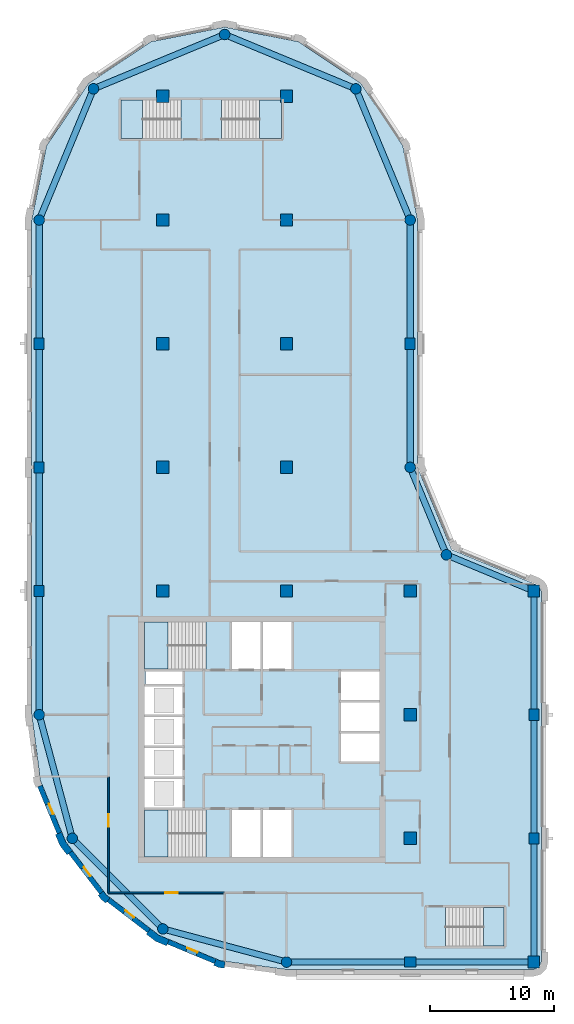
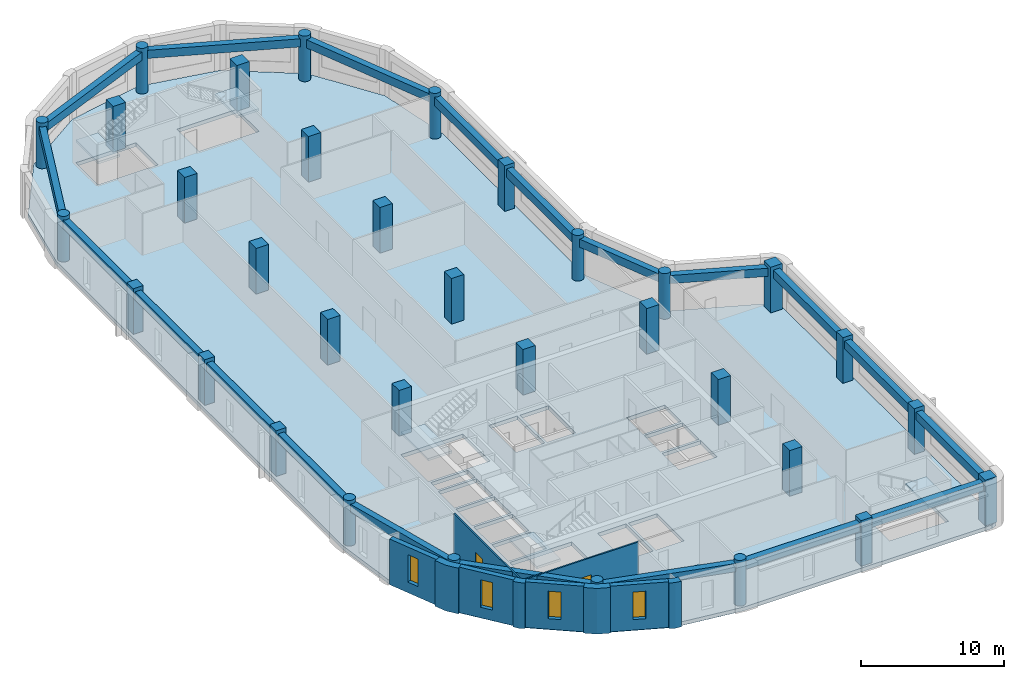
# One storey, part 1 of 8: 33 columns, 20 beams, 10 walls, 6 slabs, 4 windows, 2 doors, 6 openings, 5 elements without a shape of their own.
"""IFC4 building model written with IfcOpenShell, lengths in metres."""

from ifc_helpers import new_model, si_unit, direction, frame, frame_2d, origin, origin_2d, place, context, subcontext, project, spatial, polyline, rectangle, circle, outline, extrude, material, layer, layer_set, material_profile, profile_set, type_object, element, fill, aggregate, save


model = new_model("IFC4")

# Units and contexts
model_context = context("Model", 3, precision=1e-05, world=origin(), true_north=direction((0.0, 1.0)))
body_context = subcontext(model_context, "Body", "Model", "MODEL_VIEW")
ifc_project = project(units=[si_unit("LENGTHUNIT", "METRE"), si_unit("AREAUNIT", "SQUARE_METRE"), si_unit("VOLUMEUNIT", "CUBIC_METRE"), si_unit("PLANEANGLEUNIT", "RADIAN"), si_unit("MASSUNIT", "GRAM", prefix="KILO")], contexts=[model_context])

# Site, building, storey
site_placement = place(None, origin())
site = spatial("IfcSite", under=ifc_project, at=site_placement, CompositionType="ELEMENT")
building_placement = place(site_placement, origin())
building = spatial("IfcBuilding", under=site, at=building_placement, Name="Qaws Garden Tower", CompositionType="ELEMENT")
storey_placement = place(building_placement, frame((0.0, 0.0, 309.89990234375)))
storey = spatial("IfcBuildingStorey", under=building, at=storey_placement, Name="L75", CompositionType="ELEMENT", Elevation=309.89990234375)

# Columns
ifc_material_1 = material(Name="Concrete C60", Category="concrete")
ifc_material_profile_1 = material_profile(ifc_material_1, rectangle(XDim=1.0, YDim=1.0, at=origin_2d()), Name="RC 1000x1000")
ifc_profile_set_1 = profile_set([ifc_material_profile_1], Name="Concrete C60")
column_type_1 = type_object("IfcColumnType", Name="Column RC 1000x1000 C60", PredefinedType="COLUMN", material=ifc_profile_set_1)
for number, where, z_axis, x_axis, name in (
    (1, (10.0, 30.0, 0.0), (0.0, 0.0, 1.0), (1.0, 0.0, 0.0), "Column L75-021"),
    (2, (10.0, 40.0, 0.0), (0.0, 0.0, 1.0), (1.0, 0.0, 0.0), "Column L75-022"),
    (3, (10.0, 50.0, 0.0), (0.0, 0.0, 1.0), (1.0, 0.0, 0.0), "Column L75-023"),
    (4, (10.0, 60.0, 0.0), (0.0, 0.0, 1.0), (1.0, 0.0, 0.0), "Column L75-024"),
    (5, (10.0, 70.0, 0.0), (0.0, 0.0, 1.0), (1.0, 0.0, 0.0), "Column L75-025"),
    (6, (20.0, 30.0, 0.0), (0.0, 0.0, 1.0), (1.0, 0.0, 0.0), "Column L75-026"),
    (7, (20.0, 40.0, 0.0), (0.0, 0.0, 1.0), (1.0, 0.0, 0.0), "Column L75-027"),
    (8, (20.0, 50.0, 0.0), (0.0, 0.0, 1.0), (1.0, 0.0, 0.0), "Column L75-028"),
    (9, (20.0, 60.0, 0.0), (0.0, 0.0, 1.0), (1.0, 0.0, 0.0), "Column L75-029"),
    (10, (20.0, 70.0, 0.0), (0.0, 0.0, 1.0), (1.0, 0.0, 0.0), "Column L75-030"),
    (11, (30.0, 10.0, 0.0), (0.0, 0.0, 1.0), (1.0, 0.0, 0.0), "Column L75-031"),
    (12, (30.0, 20.0, 0.0), (0.0, 0.0, 1.0), (1.0, 0.0, 0.0), "Column L75-032"),
    (13, (30.0, 30.0, 0.0), (0.0, 0.0, 1.0), (1.0, 0.0, 0.0), "Column L75-033"),
):
    element("IfcColumn", number, at=place(storey_placement, frame(where, z_axis=z_axis, x_axis=x_axis)), inside=storey, type_object=column_type_1, Name=name, PredefinedType="COLUMN", context=body_context, shape_type="SweptSolid", body=[
        extrude(rectangle(XDim=1.0, YDim=1.0, at=origin_2d()), origin(), (0.0, 0.0, 1.0), 3.900146484375),
    ])
ifc_material_2 = material(Name="Concrete C60", Category="concrete")
ifc_material_profile_2 = material_profile(ifc_material_2, rectangle(XDim=0.89990234375, YDim=0.800048828125, at=origin_2d()), Name="RC 900x800")
ifc_profile_set_2 = profile_set([ifc_material_profile_2], Name="Concrete C60")
column_type_2 = type_object("IfcColumnType", Name="Column RC 900x800 C60", PredefinedType="COLUMN", material=ifc_profile_set_2)
for number, where, z_axis, x_axis, name in (
    (14, (30.0, 0.0, 0.0), (0.0, 0.0, 1.0), (1.0, 0.0, 0.0), "Column L75-002"),
    (15, (40.0, 10.0, 0.0), (0.0, 0.0, 1.0), (0.0, 1.0, 0.0), "Column L75-004"),
    (16, (40.0, 20.0, 0.0), (0.0, 0.0, 1.0), (0.0, 1.0, 0.0), "Column L75-005"),
    (17, (30.0, 50.0, 0.0), (0.0, 0.0, 1.0), (0.0, 1.0, 0.0), "Column L75-009"),
    (18, (0.0, 50.0, 0.0), (0.0, 0.0, 1.0), (0.0, 1.0, 0.0), "Column L75-015"),
    (19, (0.0, 40.0, 0.0), (0.0, 0.0, 1.0), (0.0, 1.0, 0.0), "Column L75-016"),
    (20, (0.0, 30.0, 0.0), (0.0, 0.0, 1.0), (0.0, 1.0, 0.0), "Column L75-017"),
):
    element("IfcColumn", number, at=place(storey_placement, frame(where, z_axis=z_axis, x_axis=x_axis)), inside=storey, type_object=column_type_2, Name=name, PredefinedType="COLUMN", context=body_context, shape_type="SweptSolid", body=[
        extrude(rectangle(XDim=0.89990234375, YDim=0.800048828125, at=origin_2d()), origin(), (0.0, 0.0, 1.0), 3.900146484375),
    ])
ifc_material_3 = material(Name="Concrete C60", Category="concrete")
ifc_material_profile_3 = material_profile(ifc_material_3, rectangle(XDim=0.949951171875, YDim=0.949951171875, at=origin_2d()), Name="RC 950x950")
ifc_profile_set_3 = profile_set([ifc_material_profile_3], Name="Concrete C60")
column_type_3 = type_object("IfcColumnType", Name="Column RC 950x950 C60", PredefinedType="COLUMN", material=ifc_profile_set_3)
for number, where, z_axis, x_axis, name in (
    (21, (40.0, 0.0, 0.0), (0.0, 0.0, 1.0), (1.0, 0.0, 0.0), "Column L75-003"),
    (22, (40.0, 30.0, 0.0), (0.0, 0.0, 1.0), (1.0, 0.0, 0.0), "Column L75-006"),
):
    element("IfcColumn", number, at=place(storey_placement, frame(where, z_axis=z_axis, x_axis=x_axis)), inside=storey, type_object=column_type_3, Name=name, PredefinedType="COLUMN", context=body_context, shape_type="SweptSolid", body=[
        extrude(rectangle(XDim=0.949951171875, YDim=0.949951171875, at=origin_2d()), origin(), (0.0, 0.0, 1.0), 3.900146484375),
    ])
ifc_material_4 = material(Name="Concrete C60", Category="concrete")
ifc_material_profile_4 = material_profile(ifc_material_4, circle(Radius=0.425048828125, at=origin_2d()), Name="RC D850")
ifc_profile_set_4 = profile_set([ifc_material_profile_4], Name="Concrete C60")
column_type_4 = type_object("IfcColumnType", Name="Column RC D850 C60", PredefinedType="COLUMN", material=ifc_profile_set_4)
for number, where, z_axis, x_axis, name in (
    (23, (20.0, 0.0, 0.0), (0.0, 0.0, 1.0), (1.0, 0.0, 0.0), "Column L75-001"),
    (24, (32.928955078125, 32.928955078125, 0.0), (0.0, 0.0, 1.0), (1.0, 0.0, 0.0), "Column L75-007"),
    (25, (30.0, 40.0, 0.0), (0.0, 0.0, 1.0), (1.0, 0.0, 0.0), "Column L75-008"),
    (26, (30.0, 60.0, 0.0), (0.0, 0.0, 1.0), (1.0, 0.0, 0.0), "Column L75-010"),
    (27, (25.606689453125, 70.606689453125, 0.0), (0.0, 0.0, 1.0), (1.0, 0.0, 0.0), "Column L75-011"),
    (28, (15.0, 75.0, 0.0), (0.0, 0.0, 1.0), (1.0, 0.0, 0.0), "Column L75-012"),
    (29, (4.393310546875, 70.606689453125, 0.0), (0.0, 0.0, 1.0), (1.0, 0.0, 0.0), "Column L75-013"),
    (30, (0.0, 60.0, 0.0), (0.0, 0.0, 1.0), (1.0, 0.0, 0.0), "Column L75-014"),
    (31, (0.0, 20.0, 0.0), (0.0, 0.0, 1.0), (1.0, 0.0, 0.0), "Column L75-018"),
    (32, (2.679443359375, 10.0, 0.0), (0.0, 0.0, 1.0), (1.0, 0.0, 0.0), "Column L75-019"),
    (33, (10.0, 2.679443359375, 0.0), (0.0, 0.0, 1.0), (1.0, 0.0, 0.0), "Column L75-020"),
):
    element("IfcColumn", number, at=place(storey_placement, frame(where, z_axis=z_axis, x_axis=x_axis)), inside=storey, type_object=column_type_4, Name=name, PredefinedType="COLUMN", context=body_context, shape_type="SweptSolid", body=[
        extrude(circle(Radius=0.425048828125, at=origin_2d()), origin(), (0.0, 0.0, 1.0), 3.900146484375),
    ])

# Beams
ifc_material_5 = material(Name="Concrete C45", Category="concrete")
ifc_material_profile_5 = material_profile(ifc_material_5, rectangle(XDim=0.5, YDim=0.699951171875, at=origin_2d()), Name="RC 500x700")
ifc_profile_set_5 = profile_set([ifc_material_profile_5], Name="Concrete C45")
beam_type = type_object("IfcBeamType", Name="Spandrel beam RC 500x700 C45", PredefinedType="SPANDREL", material=ifc_profile_set_5)
for number, where, z_axis, x_axis, name in (
    (34, (20.0, 0.0, 3.22998046875), (1.0, 0.0, 0.0), (0.0, 1.0, 0.0), "Spandrel beam L75-001"),
    (35, (30.0, 0.0, 3.22998046875), (1.0, 0.0, 0.0), (0.0, 1.0, 0.0), "Spandrel beam L75-002"),
    (36, (40.0, 0.0, 3.22998046875), (0.0, 1.0, 0.0), (-1.0, 0.0, 0.0), "Spandrel beam L75-003"),
    (37, (40.0, 10.0, 3.22998046875), (0.0, 1.0, 0.0), (-1.0, 0.0, 0.0), "Spandrel beam L75-004"),
    (38, (40.0, 20.0, 3.22998046875), (0.0, 1.0, 0.0), (-1.0, 0.0, 0.0), "Spandrel beam L75-005"),
):
    element("IfcBeam", number, at=place(storey_placement, frame(where, z_axis=z_axis, x_axis=x_axis)), inside=storey, type_object=beam_type, Name=name, PredefinedType="SPANDREL", context=body_context, shape_type="SweptSolid", body=[
        extrude(rectangle(XDim=0.5, YDim=0.699951171875, at=origin_2d()), origin(), (0.0, 0.0, 1.0), 10.0),
    ])
for number, where, z_axis, x_axis, name in (
    (39, (40.0, 30.0, 3.22998046875), (-0.923878037141, 0.382687042488, 0.0), (-0.382687042488, -0.923878037141, 0.0), "Spandrel beam L75-006"),
    (40, (32.928955078125, 32.928955078125, 3.22998046875), (-0.382687042488, 0.923878037141, 0.0), (-0.923878037141, -0.382687042488, 0.0), "Spandrel beam L75-007"),
):
    element("IfcBeam", number, at=place(storey_placement, frame(where, z_axis=z_axis, x_axis=x_axis)), inside=storey, type_object=beam_type, Name=name, PredefinedType="SPANDREL", context=body_context, shape_type="SweptSolid", body=[
        extrude(rectangle(XDim=0.5, YDim=0.699951171875, at=origin_2d()), origin(), (0.0, 0.0, 1.0), 7.653564453125),
    ])
for number, where, z_axis, x_axis, name in (
    (41, (30.0, 40.0, 3.22998046875), (0.0, 1.0, 0.0), (-1.0, 0.0, 0.0), "Spandrel beam L75-008"),
    (42, (30.0, 50.0, 3.22998046875), (0.0, 1.0, 0.0), (-1.0, 0.0, 0.0), "Spandrel beam L75-009"),
):
    element("IfcBeam", number, at=place(storey_placement, frame(where, z_axis=z_axis, x_axis=x_axis)), inside=storey, type_object=beam_type, Name=name, PredefinedType="SPANDREL", context=body_context, shape_type="SweptSolid", body=[
        extrude(rectangle(XDim=0.5, YDim=0.699951171875, at=origin_2d()), origin(), (0.0, 0.0, 1.0), 10.0),
    ])
for number, where, z_axis, x_axis, name in (
    (43, (30.0, 60.0, 3.22998046875), (-0.382674207535, 0.923883353507, 0.0), (-0.923883353507, -0.382674207535, 0.0), "Spandrel beam L75-010"),
    (44, (25.606689453125, 70.606689453125, 3.22998046875), (-0.923883353507, 0.382674207535, 0.0), (-0.382674207535, -0.923883353507, 0.0), "Spandrel beam L75-011"),
    (45, (15.0, 75.0, 3.22998046875), (-0.923883353507, -0.382674207535, 0.0), (0.382674207535, -0.923883353507, 0.0), "Spandrel beam L75-012"),
    (46, (4.393310546875, 70.606689453125, 3.22998046875), (-0.382674207535, -0.923883353507, 0.0), (0.923883353507, -0.382674207535, 0.0), "Spandrel beam L75-013"),
):
    element("IfcBeam", number, at=place(storey_placement, frame(where, z_axis=z_axis, x_axis=x_axis)), inside=storey, type_object=beam_type, Name=name, PredefinedType="SPANDREL", context=body_context, shape_type="SweptSolid", body=[
        extrude(rectangle(XDim=0.5, YDim=0.699951171875, at=origin_2d()), origin(), (0.0, 0.0, 1.0), 11.48046875),
    ])
for number, where, z_axis, x_axis, name in (
    (47, (0.0, 60.0, 3.22998046875), (0.0, -1.0, 0.0), (1.0, 0.0, 0.0), "Spandrel beam L75-014"),
    (48, (0.0, 50.0, 3.22998046875), (0.0, -1.0, 0.0), (1.0, 0.0, 0.0), "Spandrel beam L75-015"),
    (49, (0.0, 40.0, 3.22998046875), (0.0, -1.0, 0.0), (1.0, 0.0, 0.0), "Spandrel beam L75-016"),
    (50, (0.0, 30.0, 3.22998046875), (0.0, -1.0, 0.0), (1.0, 0.0, 0.0), "Spandrel beam L75-017"),
):
    element("IfcBeam", number, at=place(storey_placement, frame(where, z_axis=z_axis, x_axis=x_axis)), inside=storey, type_object=beam_type, Name=name, PredefinedType="SPANDREL", context=body_context, shape_type="SweptSolid", body=[
        extrude(rectangle(XDim=0.5, YDim=0.699951171875, at=origin_2d()), origin(), (0.0, 0.0, 1.0), 10.0),
    ])
for number, where, z_axis, x_axis, name in (
    (51, (0.0, 20.0, 3.22998046875), (0.25881466832, -0.965926999034, 0.0), (0.965926999034, 0.25881466832, 0.0), "Spandrel beam L75-018"),
    (52, (2.679443359375, 10.0, 3.22998046875), (0.707106781187, -0.707106781187, 0.0), (0.707106781187, 0.707106781187, 0.0), "Spandrel beam L75-019"),
    (53, (10.0, 2.679443359375, 3.22998046875), (0.965926999034, -0.25881466832, 0.0), (0.25881466832, 0.965926999034, 0.0), "Spandrel beam L75-020"),
):
    element("IfcBeam", number, at=place(storey_placement, frame(where, z_axis=z_axis, x_axis=x_axis)), inside=storey, type_object=beam_type, Name=name, PredefinedType="SPANDREL", context=body_context, shape_type="SweptSolid", body=[
        extrude(rectangle(XDim=0.5, YDim=0.699951171875, at=origin_2d()), origin(), (0.0, 0.0, 1.0), 10.352783203125),
    ])

# Slab
ifc_material_6 = material(Name="Concrete C40", Category="concrete")
ifc_layer_1 = layer(ifc_material_6, 0.320068359375)
ifc_layer_set_1 = layer_set([ifc_layer_1], Name="Concrete C40")
slab_type_1 = type_object("IfcSlabType", Name="Floor slab 320 C40", PredefinedType="FLOOR", material=ifc_layer_set_1)
slab_1_placement = place(storey_placement, frame((0.0, 0.0, -0.31982421875)))
element("IfcSlab", 54, at=slab_1_placement, inside=storey, type_object=slab_type_1, Name="Floor slab L75", PredefinedType="FLOOR", context=body_context, shape_type="SweptSolid", body=[
    extrude(outline(polyline([(0.101806640625, 14.668212890625), (-0.60009765625, 20.0), (-0.60009765625, 30.60009765625), (-0.60009765625, 60.0), (-0.60009765625, 60.0), (0.58740234375, 65.969970703125), (3.968994140625, 71.031005859375), (9.030029296875, 74.41259765625), (15.0, 75.60009765625), (20.969970703125, 74.41259765625), (26.031005859375, 71.031005859375), (29.41259765625, 65.969970703125), (30.60009765625, 60.0), (30.60009765625, 40.0), (33.353271484375, 33.353271484375), (40.0, 30.60009765625), (40.42431640625, 30.42431640625), (40.60009765625, 30.0), (40.60009765625, 0.0), (40.42431640625, -0.42431640625), (40.0, -0.60009765625), (30.60009765625, -0.60009765625), (20.0, -0.60009765625), (14.668212890625, 0.101806640625), (9.699951171875, 2.159912109375), (5.43359375, 5.43359375), (2.159912109375, 9.699951171875), (0.101806640625, 14.668212890625)]), holes=[polyline([(13.49951171875, 12.300048828125), (8.5, 12.300048828125), (8.5, 8.5), (13.49951171875, 8.5), (13.49951171875, 12.300048828125)]), polyline([(17.89990234375, 12.300048828125), (15.60009765625, 12.300048828125), (15.60009765625, 8.5), (17.89990234375, 8.5), (17.89990234375, 12.300048828125)]), polyline([(11.60009765625, 14.800048828125), (8.5, 14.800048828125), (8.5, 12.5), (11.60009765625, 12.5), (11.60009765625, 14.800048828125)]), polyline([(11.60009765625, 17.300048828125), (8.5, 17.300048828125), (8.5, 15.0), (11.60009765625, 15.0), (11.60009765625, 17.300048828125)]), polyline([(11.60009765625, 19.800048828125), (8.5, 19.800048828125), (8.5, 17.5), (11.60009765625, 17.5), (11.60009765625, 19.800048828125)]), polyline([(11.60009765625, 22.300048828125), (8.5, 22.300048828125), (8.5, 20.0), (11.60009765625, 20.0), (11.60009765625, 22.300048828125)]), polyline([(11.60009765625, 23.5), (8.60009765625, 23.5), (8.60009765625, 22.5), (11.60009765625, 22.5), (11.60009765625, 23.5)]), polyline([(13.49951171875, 27.5), (8.5, 27.5), (8.5, 23.699951171875), (13.49951171875, 23.699951171875), (13.49951171875, 27.5)]), polyline([(11.449462890625, 69.699951171875), (6.60009765625, 69.699951171875), (6.60009765625, 66.60009765625), (11.449462890625, 66.60009765625), (11.449462890625, 69.699951171875)]), polyline([(37.60009765625, 4.39990234375), (32.8505859375, 4.39990234375), (32.8505859375, 1.300048828125), (37.60009765625, 1.300048828125), (37.60009765625, 4.39990234375)]), polyline([(20.39990234375, 12.300048828125), (18.10009765625, 12.300048828125), (18.10009765625, 8.5), (20.39990234375, 8.5), (20.39990234375, 12.300048828125)]), polyline([(27.5, 18.5), (24.39990234375, 18.5), (24.39990234375, 16.199951171875), (27.5, 16.199951171875), (27.5, 18.5)]), polyline([(27.5, 21.0), (24.39990234375, 21.0), (24.39990234375, 18.699951171875), (27.5, 18.699951171875), (27.5, 21.0)]), polyline([(27.5, 23.5), (24.39990234375, 23.5), (24.39990234375, 21.199951171875), (27.5, 21.199951171875), (27.5, 23.5)]), polyline([(17.89990234375, 27.5), (15.60009765625, 27.5), (15.60009765625, 23.699951171875), (17.89990234375, 23.699951171875), (17.89990234375, 27.5)]), polyline([(20.39990234375, 23.699951171875), (20.39990234375, 27.5), (18.10009765625, 27.5), (18.10009765625, 23.699951171875), (20.39990234375, 23.699951171875)]), polyline([(19.60009765625, 66.60009765625), (19.60009765625, 69.699951171875), (14.75048828125, 69.699951171875), (14.75048828125, 66.60009765625), (19.60009765625, 66.60009765625)])]), origin(), (0.0, 0.0, 1.0), 0.31982421875),
])

# Stair, slab
ifc_material_7 = material(Name="Concrete C40", Category="concrete")
stair_type_1 = type_object("IfcStairType", Name="Exit stair 1500", PredefinedType="HALF_TURN_STAIR", material=ifc_material_7)
placement_1 = place(storey_placement, origin())
stair_1 = element("IfcStair", 55, at=placement_1, inside=storey, type_object=stair_type_1, Name="Stair 1", PredefinedType="HALF_TURN_STAIR")
ifc_material_8 = material(Name="Concrete C40", Category="concrete")
ifc_layer_2 = layer(ifc_material_8, 0.199951171875)
ifc_layer_set_2 = layer_set([ifc_layer_2], Name="Concrete C40")
slab_type_2 = type_object("IfcSlabType", Name="Stair landing 200", PredefinedType="LANDING", material=ifc_layer_set_2)
placement_2 = place(storey_placement, frame((0.0, 0.0, 1.75)))
slab_2 = element("IfcSlab", 56, at=placement_2, type_object=slab_type_2, Name="ST1 landing 1", PredefinedType="LANDING", context=body_context, shape_type="SweptSolid", body=[
    extrude(outline(polyline([(8.5, 8.5), (10.419921875, 8.5), (10.419921875, 12.300048828125), (8.5, 12.300048828125), (8.5, 8.5)])), origin(), (0.0, 0.0, 1.0), 0.2001953125),
])
aggregate(stair_1, [slab_2])

stair_2 = element("IfcStair", 57, at=placement_1, inside=storey, type_object=stair_type_1, Name="Stair 4", PredefinedType="HALF_TURN_STAIR")
slab_3 = element("IfcSlab", 58, at=placement_2, type_object=slab_type_2, Name="ST4 landing 1", PredefinedType="LANDING", context=body_context, shape_type="SweptSolid", body=[
    extrude(outline(polyline([(8.5, 23.699951171875), (10.419921875, 23.699951171875), (10.419921875, 27.5), (8.5, 27.5), (8.5, 23.699951171875)])), origin(), (0.0, 0.0, 1.0), 0.2001953125),
])
aggregate(stair_2, [slab_3])

ifc_material_9 = material(Name="Concrete C40", Category="concrete")
stair_type_2 = type_object("IfcStairType", Name="Exit stair 1350", PredefinedType="HALF_TURN_STAIR", material=ifc_material_9)
stair_3 = element("IfcStair", 59, at=placement_1, inside=storey, type_object=stair_type_2, Name="Stair 5", PredefinedType="HALF_TURN_STAIR")
slab_4 = element("IfcSlab", 60, at=placement_2, type_object=slab_type_2, Name="ST5 landing 1", PredefinedType="LANDING", context=body_context, shape_type="SweptSolid", body=[
    extrude(outline(polyline([(35.929931640625, 1.300048828125), (37.60009765625, 1.300048828125), (37.60009765625, 4.39990234375), (35.929931640625, 4.39990234375), (35.929931640625, 1.300048828125)])), origin(), (0.0, 0.0, 1.0), 0.2001953125),
])
aggregate(stair_3, [slab_4])

stair_4 = element("IfcStair", 61, at=placement_1, inside=storey, type_object=stair_type_2, Name="Stair 6", PredefinedType="HALF_TURN_STAIR")
slab_5 = element("IfcSlab", 62, at=placement_2, type_object=slab_type_2, Name="ST6 landing 1", PredefinedType="LANDING", context=body_context, shape_type="SweptSolid", body=[
    extrude(outline(polyline([(6.60009765625, 66.60009765625), (8.3701171875, 66.60009765625), (8.3701171875, 69.699951171875), (6.60009765625, 69.699951171875), (6.60009765625, 66.60009765625)])), origin(), (0.0, 0.0, 1.0), 0.2001953125),
])
aggregate(stair_4, [slab_5])

stair_5 = element("IfcStair", 63, at=placement_1, inside=storey, type_object=stair_type_2, Name="Stair 7", PredefinedType="HALF_TURN_STAIR")
slab_6 = element("IfcSlab", 64, at=placement_2, type_object=slab_type_2, Name="ST7 landing 1", PredefinedType="LANDING", context=body_context, shape_type="SweptSolid", body=[
    extrude(outline(polyline([(17.830078125, 66.60009765625), (19.60009765625, 66.60009765625), (19.60009765625, 69.699951171875), (17.830078125, 69.699951171875), (17.830078125, 66.60009765625)])), origin(), (0.0, 0.0, 1.0), 0.2001953125),
])
aggregate(stair_5, [slab_6])

# Wall, opening, window
ifc_material_10 = material(Name="Buff clay facing brick masonry", Category="masonry")
ifc_layer_3 = layer(ifc_material_10, 0.39990234375)
ifc_layer_set_3 = layer_set([ifc_layer_3], Name="Buff clay facing brick masonry")
wall_type_1 = type_object("IfcWallType", Name="Buff brick infill wall 400", PredefinedType="SOLIDWALL", material=ifc_layer_set_3)
wall_1_placement = place(storey_placement, frame((0.05712890625, 14.240234375, 0.0), z_axis=(0.0, 0.0, 1.0), x_axis=(0.382721546029, -0.923863744394, 0.0)))
wall_1 = element("IfcWall", 65, at=wall_1_placement, inside=storey, type_object=wall_type_1, Name="E-L75-infill-22", PredefinedType="SOLIDWALL", context=body_context, shape_type="SweptSolid", body=[
    extrude(rectangle(XDim=4.120849609375, YDim=0.39990234375, at=frame_2d((2.060546875, 0.0))), origin(), (0.0, 0.0, 1.0), 3.900146484375),
])
opening_1_placement = place(wall_1_placement, frame((1.610595703125, 0.0, 0.89990234375)))
opening_1 = element("IfcOpeningElement", 66, at=opening_1_placement, cuts=wall_1, Name="Opening W09", PredefinedType="OPENING", context=body_context, shape_type="SweptSolid", body=[
    extrude(rectangle(XDim=0.89990234375, YDim=2.35009765625, at=frame_2d((0.449951171875, 1.175048828125))), frame((0.0, 0.2099609375, 0.0), z_axis=(0.0, -1.0, 0.0), x_axis=(1.0, 0.0, 0.0)), (0.0, 0.0, 1.0), 0.419921875),
])
ifc_material_11 = material(Name="Aluminium framed window, clear glazing", Category="aluminium")
window_type = type_object("IfcWindowType", Name="Slit window 900 x 2350", PartitioningType="SINGLE_PANEL", PredefinedType="WINDOW", material=ifc_material_11)
window_1_placement = place(opening_1_placement, origin())
window_1 = element("IfcWindow", 67, at=window_1_placement, inside=storey, type_object=window_type, Name="E-L75-window-22-0", OverallHeight=2.35009765625, OverallWidth=0.89990234375, PartitioningType="SINGLE_PANEL", PredefinedType="WINDOW", context=body_context, shape_type="SweptSolid", body=[
    extrude(rectangle(XDim=0.89990234375, YDim=2.35009765625, at=frame_2d((0.449951171875, 1.175048828125))), frame((0.0, 0.159912109375, 0.0), z_axis=(0.0, -1.0, 0.0), x_axis=(1.0, 0.0, 0.0)), (0.0, 0.0, 1.0), 0.06005859375),
])
fill(opening_1, window_1)

wall_2_placement = place(storey_placement, frame((2.53173828125, 8.87841796875, 0.0), z_axis=(0.0, 0.0, 1.0), x_axis=(0.608759824817, -0.793354571229, 0.0)))
wall_2 = element("IfcWall", 68, at=wall_2_placement, inside=storey, type_object=wall_type_1, Name="E-L75-infill-23", PredefinedType="SOLIDWALL", context=body_context, shape_type="SweptSolid", body=[
    extrude(rectangle(XDim=4.12109375, YDim=0.39990234375, at=frame_2d((2.060546875, 0.0))), origin(), (0.0, 0.0, 1.0), 3.900146484375),
])
opening_2_placement = place(wall_2_placement, frame((1.610595703125, 0.0, 0.89990234375)))
opening_2 = element("IfcOpeningElement", 69, at=opening_2_placement, cuts=wall_2, Name="Opening W09", PredefinedType="OPENING", context=body_context, shape_type="SweptSolid", body=[
    extrude(rectangle(XDim=0.89990234375, YDim=2.35009765625, at=frame_2d((0.449951171875, 1.175048828125))), frame((0.0, 0.2099609375, 0.0), z_axis=(0.0, -1.0, 0.0), x_axis=(1.0, 0.0, 0.0)), (0.0, 0.0, 1.0), 0.419921875),
])
window_2_placement = place(opening_2_placement, origin())
window_2 = element("IfcWindow", 70, at=window_2_placement, inside=storey, type_object=window_type, Name="E-L75-window-23-0", OverallHeight=2.35009765625, OverallWidth=0.89990234375, PartitioningType="SINGLE_PANEL", PredefinedType="WINDOW", context=body_context, shape_type="SweptSolid", body=[
    extrude(rectangle(XDim=0.89990234375, YDim=2.35009765625, at=frame_2d((0.449951171875, 1.175048828125))), frame((0.0, 0.159912109375, 0.0), z_axis=(0.0, -1.0, 0.0), x_axis=(1.0, 0.0, 0.0)), (0.0, 0.0, 1.0), 0.06005859375),
])
fill(opening_2, window_2)

wall_3_placement = place(storey_placement, frame((5.60888671875, 5.04052734375, 0.0), z_axis=(0.0, 0.0, 1.0), x_axis=(0.793354571229, -0.608759824817, 0.0)))
wall_3 = element("IfcWall", 71, at=wall_3_placement, inside=storey, type_object=wall_type_1, Name="E-L75-infill-24", PredefinedType="SOLIDWALL", context=body_context, shape_type="SweptSolid", body=[
    extrude(rectangle(XDim=4.12109375, YDim=0.39990234375, at=frame_2d((2.060546875, 0.0))), origin(), (0.0, 0.0, 1.0), 3.900146484375),
])
opening_3_placement = place(wall_3_placement, frame((1.610595703125, 0.0, 0.89990234375)))
opening_3 = element("IfcOpeningElement", 72, at=opening_3_placement, cuts=wall_3, Name="Opening W09", PredefinedType="OPENING", context=body_context, shape_type="SweptSolid", body=[
    extrude(rectangle(XDim=0.89990234375, YDim=2.35009765625, at=frame_2d((0.449951171875, 1.175048828125))), frame((0.0, 0.2099609375, 0.0), z_axis=(0.0, -1.0, 0.0), x_axis=(1.0, 0.0, 0.0)), (0.0, 0.0, 1.0), 0.419921875),
])
window_3_placement = place(opening_3_placement, origin())
window_3 = element("IfcWindow", 73, at=window_3_placement, inside=storey, type_object=window_type, Name="E-L75-window-24-0", OverallHeight=2.35009765625, OverallWidth=0.89990234375, PartitioningType="SINGLE_PANEL", PredefinedType="WINDOW", context=body_context, shape_type="SweptSolid", body=[
    extrude(rectangle(XDim=0.89990234375, YDim=2.35009765625, at=frame_2d((0.449951171875, 1.175048828125))), frame((0.0, 0.159912109375, 0.0), z_axis=(0.0, -1.0, 0.0), x_axis=(1.0, 0.0, 0.0)), (0.0, 0.0, 1.0), 0.06005859375),
])
fill(opening_3, window_3)

wall_4_placement = place(storey_placement, frame((10.43310546875, 1.63427734375, 0.0), z_axis=(0.0, 0.0, 1.0), x_axis=(0.923863744394, -0.382721546029, 0.0)))
wall_4 = element("IfcWall", 74, at=wall_4_placement, inside=storey, type_object=wall_type_1, Name="E-L75-infill-25", PredefinedType="SOLIDWALL", context=body_context, shape_type="SweptSolid", body=[
    extrude(rectangle(XDim=4.120849609375, YDim=0.39990234375, at=frame_2d((2.060546875, 0.0))), origin(), (0.0, 0.0, 1.0), 3.900146484375),
])
opening_4_placement = place(wall_4_placement, frame((1.610595703125, 0.0, 0.89990234375)))
opening_4 = element("IfcOpeningElement", 75, at=opening_4_placement, cuts=wall_4, Name="Opening W09", PredefinedType="OPENING", context=body_context, shape_type="SweptSolid", body=[
    extrude(rectangle(XDim=0.89990234375, YDim=2.35009765625, at=frame_2d((0.449951171875, 1.175048828125))), frame((0.0, 0.2099609375, 0.0), z_axis=(0.0, -1.0, 0.0), x_axis=(1.0, 0.0, 0.0)), (0.0, 0.0, 1.0), 0.419921875),
])
window_4_placement = place(opening_4_placement, origin())
window_4 = element("IfcWindow", 76, at=window_4_placement, inside=storey, type_object=window_type, Name="E-L75-window-25-0", OverallHeight=2.35009765625, OverallWidth=0.89990234375, PartitioningType="SINGLE_PANEL", PredefinedType="WINDOW", context=body_context, shape_type="SweptSolid", body=[
    extrude(rectangle(XDim=0.89990234375, YDim=2.35009765625, at=frame_2d((0.449951171875, 1.175048828125))), frame((0.0, 0.159912109375, 0.0), z_axis=(0.0, -1.0, 0.0), x_axis=(1.0, 0.0, 0.0)), (0.0, 0.0, 1.0), 0.06005859375),
])
fill(opening_4, window_4)

# Walls
ifc_material_12 = material(Name="Buff clay facing brick masonry", Category="masonry")
ifc_layer_4 = layer(ifc_material_12, 0.550048828125)
ifc_layer_set_4 = layer_set([ifc_layer_4], Name="Buff clay facing brick masonry")
wall_type_2 = type_object("IfcWallType", Name="Buff brick kink pier 550 x 600", PredefinedType="SOLIDWALL", material=ifc_layer_set_4)
element("IfcWall", 77, at=placement_1, inside=storey, type_object=wall_type_2, Name="E-L75-pier-24", PredefinedType="SOLIDWALL", context=body_context, shape_type="SweptSolid", body=[
    extrude(outline(polyline([(4.8818359375, 5.487060546875), (4.762939453125, 5.395751953125), (5.03759765625, 5.03759765625), (5.395751953125, 4.762939453125), (5.487060546875, 4.8818359375), (5.730712890625, 5.19921875), (5.429931640625, 5.429931640625), (5.19921875, 5.730712890625), (4.8818359375, 5.487060546875)])), origin(), (0.0, 0.0, 1.0), 3.900146484375),
])
element("IfcWall", 78, at=placement_1, inside=storey, type_object=wall_type_2, Name="E-L75-pier-26", PredefinedType="SOLIDWALL", context=body_context, shape_type="SweptSolid", body=[
    extrude(outline(polyline([(14.163818359375, -0.127685546875), (14.1064453125, -0.26611328125), (14.5234375, -0.43896484375), (14.970947265625, -0.497802734375), (14.990478515625, -0.34912109375), (15.042724609375, 0.04736328125), (14.6669921875, 0.096923828125), (14.31689453125, 0.241943359375), (14.163818359375, -0.127685546875)])), origin(), (0.0, 0.0, 1.0), 3.900146484375),
])
ifc_material_13 = material(Name="Buff clay facing brick masonry", Category="masonry")
ifc_layer_5 = layer(ifc_material_13, 0.550048828125)
ifc_layer_set_5 = layer_set([ifc_layer_5], Name="Buff clay facing brick masonry")
wall_type_3 = type_object("IfcWallType", Name="Buff brick pier 550 x 1600", PredefinedType="SOLIDWALL", material=ifc_layer_set_5)
element("IfcWall", 79, at=placement_1, inside=storey, type_object=wall_type_3, Name="E-L75-pier-23", PredefinedType="SOLIDWALL", context=body_context, shape_type="SweptSolid", body=[
    extrude(outline(polyline([(1.449462890625, 10.3564453125), (1.310791015625, 10.299072265625), (1.675048828125, 9.419921875), (2.254150390625, 8.665283203125), (2.373046875, 8.756591796875), (2.6904296875, 9.0), (2.1552734375, 9.697509765625), (1.819091796875, 10.509521484375), (1.449462890625, 10.3564453125)])), origin(), (0.0, 0.0, 1.0), 3.900146484375),
])
element("IfcWall", 80, at=placement_1, inside=storey, type_object=wall_type_3, Name="E-L75-pier-25", PredefinedType="SOLIDWALL", context=body_context, shape_type="SweptSolid", body=[
    extrude(outline(polyline([(8.756591796875, 2.373046875), (8.665283203125, 2.254150390625), (9.419921875, 1.675048828125), (10.299072265625, 1.310791015625), (10.3564453125, 1.449462890625), (10.509521484375, 1.819091796875), (9.697509765625, 2.1552734375), (9.0, 2.6904296875), (8.756591796875, 2.373046875)])), origin(), (0.0, 0.0, 1.0), 3.900146484375),
])

# Wall, opening, door
ifc_material_14 = material(Name="Glass and aluminium framing", Category="aluminium")
ifc_layer_6 = layer(ifc_material_14, 0.1201171875)
ifc_layer_set_6 = layer_set([ifc_layer_6], Name="Glass and aluminium framing")
wall_type_4 = type_object("IfcWallType", Name="GLAZED PARTITION 120 EI 30", PredefinedType="PARTITIONING", material=ifc_layer_set_6)
wall_9_placement = place(storey_placement, frame((5.60009765625, 5.60009765625, 0.0), z_axis=(0.0, 0.0, 1.0), x_axis=(0.0, 1.0, 0.0)))
wall_9 = element("IfcWall", 81, at=wall_9_placement, inside=storey, type_object=wall_type_4, Name="O-L75-wall-027", PredefinedType="PARTITIONING", context=body_context, shape_type="SweptSolid", body=[
    extrude(rectangle(XDim=9.39990234375, YDim=0.1201171875, at=frame_2d((4.699951171875, 0.0))), origin(), (0.0, 0.0, 1.0), 3.580078125),
])
opening_5_placement = place(wall_9_placement, frame((5.35009765625, 0.0, 0.0)))
opening_5 = element("IfcOpeningElement", 82, at=opening_5_placement, cuts=wall_9, Name="Opening C701", PredefinedType="OPENING", context=body_context, shape_type="SweptSolid", body=[
    extrude(rectangle(XDim=1.0, YDim=2.10009765625, at=frame_2d((0.5, 1.050048828125))), frame((0.0, 0.070068359375, 0.0), z_axis=(0.0, -1.0, 0.0), x_axis=(1.0, 0.0, 0.0)), (0.0, 0.0, 1.0), 0.14013671875),
])
ifc_material_15 = material(Name="Timber door leaf", Category="wood")
door_type = type_object("IfcDoorType", Name="TENANCY ENTRANCE DOOR 1000 X 2100", OperationType="SINGLE_SWING_LEFT", PredefinedType="DOOR", material=ifc_material_15)
door_1_placement = place(opening_5_placement, origin())
door_1 = element("IfcDoor", 83, at=door_1_placement, inside=storey, type_object=door_type, Name="O-L75-door-001", OperationType="SINGLE_SWING_RIGHT", OverallHeight=2.10009765625, OverallWidth=1.0, PredefinedType="DOOR", context=body_context, shape_type="SweptSolid", body=[
    extrude(rectangle(XDim=1.0, YDim=2.10009765625, at=frame_2d((0.5, 1.050048828125))), frame((0.0, 0.02490234375, 0.0), z_axis=(0.0, -1.0, 0.0), x_axis=(1.0, 0.0, 0.0)), (0.0, 0.0, 1.0), 0.050048828125),
])
fill(opening_5, door_1)

wall_10_placement = place(storey_placement, frame((5.60009765625, 5.60009765625, 0.0), z_axis=(0.0, 0.0, 1.0), x_axis=(1.0, 0.0, 0.0)))
wall_10 = element("IfcWall", 84, at=wall_10_placement, inside=storey, type_object=wall_type_4, Name="O-L75-wall-036", PredefinedType="PARTITIONING", context=body_context, shape_type="SweptSolid", body=[
    extrude(rectangle(XDim=9.39990234375, YDim=0.1201171875, at=frame_2d((4.699951171875, 0.0))), origin(), (0.0, 0.0, 1.0), 3.580078125),
])
opening_6_placement = place(wall_10_placement, frame((4.60009765625, 0.0, 0.0)))
opening_6 = element("IfcOpeningElement", 85, at=opening_6_placement, cuts=wall_10, Name="Opening C708", PredefinedType="OPENING", context=body_context, shape_type="SweptSolid", body=[
    extrude(rectangle(XDim=1.0, YDim=2.10009765625, at=frame_2d((0.5, 1.050048828125))), frame((0.0, 0.070068359375, 0.0), z_axis=(0.0, -1.0, 0.0), x_axis=(1.0, 0.0, 0.0)), (0.0, 0.0, 1.0), 0.14013671875),
])
door_2_placement = place(opening_6_placement, frame((1.0, 0.0, 0.0), z_axis=(0.0, 0.0, 1.0), x_axis=(-1.0, 0.0, 0.0)))
door_2 = element("IfcDoor", 86, at=door_2_placement, inside=storey, type_object=door_type, Name="O-L75-door-008", OperationType="SINGLE_SWING_LEFT", OverallHeight=2.10009765625, OverallWidth=1.0, PredefinedType="DOOR", context=body_context, shape_type="SweptSolid", body=[
    extrude(rectangle(XDim=1.0, YDim=2.10009765625, at=frame_2d((0.5, 1.050048828125))), frame((0.0, 0.02490234375, 0.0), z_axis=(0.0, -1.0, 0.0), x_axis=(1.0, 0.0, 0.0)), (0.0, 0.0, 1.0), 0.050048828125),
])
fill(opening_6, door_2)

save(model, "model.ifc")
